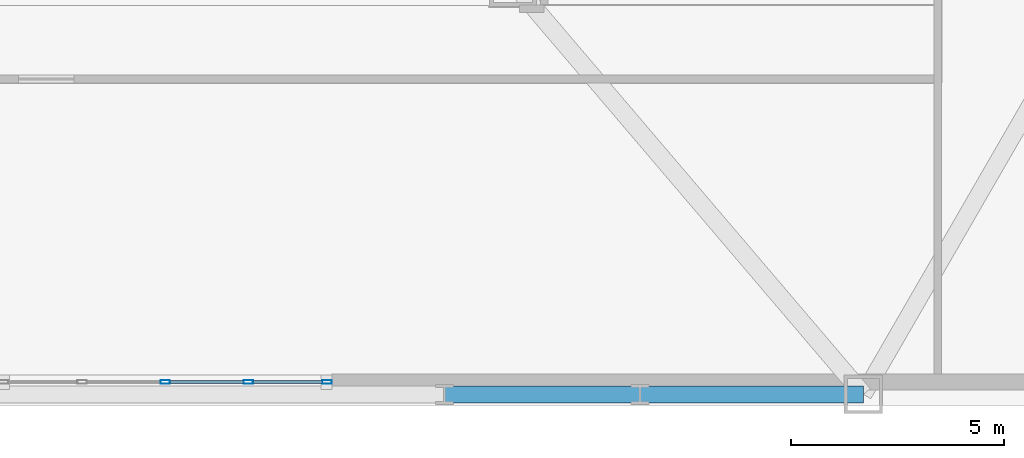
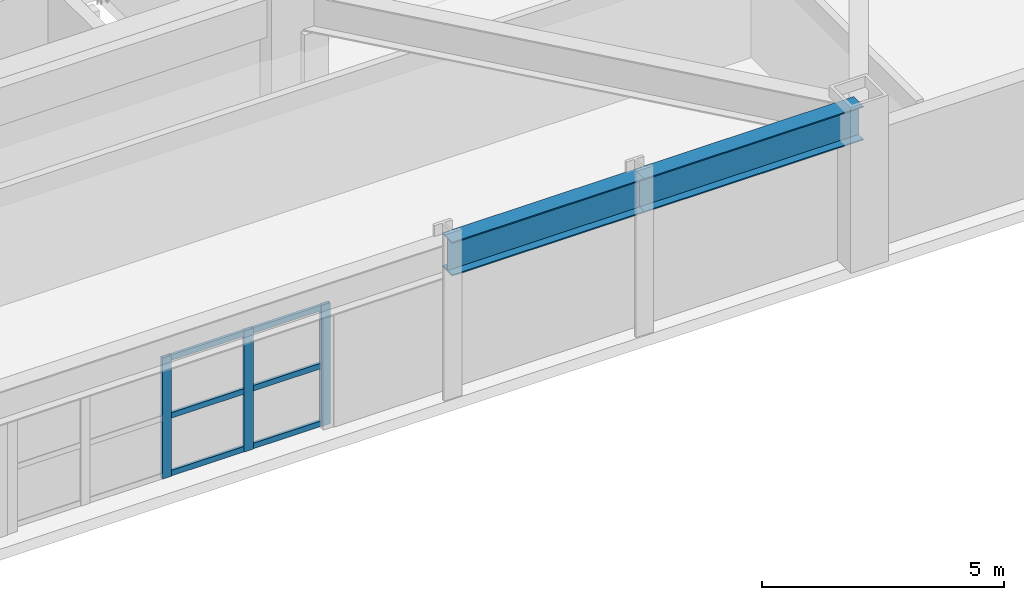
# One storey, part 6 of 22: 9 members, 2 beams, 1 element without a shape of its own.
"""IFC4 building model written with IfcOpenShell, lengths in metres."""

from ifc_helpers import new_model, si_unit, direction, frame, origin, origin_2d, place, context, subcontext, project, spatial, hollow_rectangle, i_section, extrude, material, layer, layer_set, material_profile, profile_set, type_object, element, aggregate, save


model = new_model("IFC4")

# Units and contexts
model_context = context("Model", 3, precision=1e-05, world=origin(), true_north=direction((0.0, 1.0)))
body_context = subcontext(model_context, "Body", "Model", "MODEL_VIEW")
ifc_project = project(units=[si_unit("LENGTHUNIT", "METRE"), si_unit("AREAUNIT", "SQUARE_METRE"), si_unit("VOLUMEUNIT", "CUBIC_METRE"), si_unit("PLANEANGLEUNIT", "RADIAN"), si_unit("MASSUNIT", "GRAM", prefix="KILO")], contexts=[model_context])

# Site, building, storey
site_placement = place(None, origin())
site = spatial("IfcSite", under=ifc_project, at=site_placement, CompositionType="ELEMENT")
building_placement = place(site_placement, origin())
building = spatial("IfcBuilding", under=site, at=building_placement, Name="Oramaril Tower", CompositionType="ELEMENT")
storey_placement = place(building_placement, frame((0.0, 0.0, 14.10009765625)))
storey = spatial("IfcBuildingStorey", under=building, at=storey_placement, Name="L03", CompositionType="ELEMENT", Elevation=14.10009765625)

# Beams
ifc_material_1 = material(Name="Steel ASTM A572 Gr 50", Category="steel")
ifc_material_profile_1 = material_profile(ifc_material_1, i_section(OverallWidth=0.40087890625, OverallDepth=0.85595703125, WebThickness=0.018310546875, FlangeThickness=0.029296875, at=origin_2d()), Name="W33X201")
ifc_profile_set_1 = profile_set([ifc_material_profile_1], Name="Steel ASTM A572 Gr 50")
beam_type = type_object("IfcBeamType", Name="BT-SP1", PredefinedType="SPANDREL", material=ifc_profile_set_1)
beam_1_placement = place(storey_placement, frame((44.044921875, 1.360107421875, 3.491943359375), z_axis=(1.0, 0.0, 0.0), x_axis=(0.0, 1.0, 0.0)))
element("IfcBeam", 1, at=beam_1_placement, inside=storey, type_object=beam_type, Name="L03 Perimeter Spandrel 05", PredefinedType="SPANDREL", context=body_context, shape_type="SweptSolid", body=[
    extrude(i_section(OverallWidth=0.40087890625, OverallDepth=0.85595703125, WebThickness=0.018310546875, FlangeThickness=0.029296875, at=origin_2d()), origin(), (0.0, 0.0, 1.0), 4.581298828125),
])
beam_2_placement = place(storey_placement, frame((48.626220703125, 1.360107421875, 3.491943359375), z_axis=(1.0, 0.0, 0.0), x_axis=(0.0, 1.0, 0.0)))
element("IfcBeam", 2, at=beam_2_placement, inside=storey, type_object=beam_type, Name="L03 Perimeter Spandrel 06", PredefinedType="SPANDREL", context=body_context, shape_type="SweptSolid", body=[
    extrude(i_section(OverallWidth=0.40087890625, OverallDepth=0.85595703125, WebThickness=0.018310546875, FlangeThickness=0.029296875, at=origin_2d()), origin(), (0.0, 0.0, 1.0), 5.23583984375),
])

# Curtain wall, members
ifc_material_2 = material(Name="Anodised Aluminium 6063-T6", Category="aluminium")
ifc_layer = layer(ifc_material_2, 0.219970703125)
ifc_layer_set = layer_set([ifc_layer], Name="CWT-SYS2")
curtain_wall_type = type_object("IfcCurtainWallType", Name="CWT-SYS2", PredefinedType="NOTDEFINED", material=ifc_layer_set)
curtain_wall_placement = place(storey_placement, origin())
curtain_wall = element("IfcCurtainWall", 3, at=curtain_wall_placement, inside=storey, type_object=curtain_wall_type, Name="L03 Unitised Curtain Wall CW-2", PredefinedType="NOTDEFINED")
ifc_material_3 = material(Name="Anodised Aluminium 6063-T6", Category="aluminium")
ifc_material_profile_2 = material_profile(ifc_material_3, hollow_rectangle(XDim=0.080078125, YDim=0.219970703125, WallThickness=0.00390625, at=origin_2d()), Name="CWM220X80")
ifc_profile_set_2 = profile_set([ifc_material_profile_2], Name="Anodised Aluminium 6063-T6")
member_type_1 = type_object("IfcMemberType", Name="MT-CWM1", PredefinedType="MULLION", material=ifc_profile_set_2)
member_1_placement = place(storey_placement, frame((37.5, 1.64990234375, 0.0), z_axis=(0.0, 0.0, 1.0), x_axis=(0.0, 1.0, 0.0)))
member_1 = element("IfcMember", 4, at=member_1_placement, type_object=member_type_1, Name="CW-2 mullion 3", PredefinedType="MULLION", context=body_context, shape_type="SweptSolid", body=[
    extrude(hollow_rectangle(XDim=0.080078125, YDim=0.219970703125, WallThickness=0.00390625, at=origin_2d()), origin(), (0.0, 0.0, 1.0), 3.053955078125),
])
member_2_placement = place(storey_placement, frame((39.449951171875, 1.64990234375, 0.0), z_axis=(0.0, 0.0, 1.0), x_axis=(0.0, 1.0, 0.0)))
member_2 = element("IfcMember", 5, at=member_2_placement, type_object=member_type_1, Name="CW-2 mullion 4", PredefinedType="MULLION", context=body_context, shape_type="SweptSolid", body=[
    extrude(hollow_rectangle(XDim=0.080078125, YDim=0.219970703125, WallThickness=0.00390625, at=origin_2d()), origin(), (0.0, 0.0, 1.0), 3.053955078125),
])
member_3_placement = place(storey_placement, frame((41.2900390625, 1.64990234375, 0.0), z_axis=(0.0, 0.0, 1.0), x_axis=(0.0, 1.0, 0.0)))
member_3 = element("IfcMember", 6, at=member_3_placement, type_object=member_type_1, Name="CW-2 mullion 5", PredefinedType="MULLION", context=body_context, shape_type="SweptSolid", body=[
    extrude(hollow_rectangle(XDim=0.080078125, YDim=0.219970703125, WallThickness=0.00390625, at=origin_2d()), origin(), (0.0, 0.0, 1.0), 3.053955078125),
])
ifc_material_4 = material(Name="Anodised Aluminium 6063-T6", Category="aluminium")
ifc_material_profile_3 = material_profile(ifc_material_4, hollow_rectangle(XDim=0.06494140625, YDim=0.139892578125, WallThickness=0.00390625, at=origin_2d()), Name="CWT140X65")
ifc_profile_set_3 = profile_set([ifc_material_profile_3], Name="Anodised Aluminium 6063-T6")
member_type_2 = type_object("IfcMemberType", Name="MT-CWT2", PredefinedType="USERDEFINED", material=ifc_profile_set_3)
member_4_placement = place(storey_placement, frame((37.610107421875, 1.64990234375, 0.06982421875), z_axis=(1.0, 0.0, 0.0), x_axis=(0.0, 1.0, 0.0)))
member_4 = element("IfcMember", 7, at=member_4_placement, type_object=member_type_2, Name="CW-2 transom 3.1", ObjectType="TRANSOM", PredefinedType="USERDEFINED", context=body_context, shape_type="SweptSolid", body=[
    extrude(hollow_rectangle(XDim=0.06494140625, YDim=0.139892578125, WallThickness=0.00390625, at=origin_2d()), origin(), (0.0, 0.0, 1.0), 1.72998046875),
])
member_5_placement = place(storey_placement, frame((37.610107421875, 1.64990234375, 1.52685546875), z_axis=(1.0, 0.0, 0.0), x_axis=(0.0, 1.0, 0.0)))
member_5 = element("IfcMember", 8, at=member_5_placement, type_object=member_type_2, Name="CW-2 transom 3.2", ObjectType="TRANSOM", PredefinedType="USERDEFINED", context=body_context, shape_type="SweptSolid", body=[
    extrude(hollow_rectangle(XDim=0.06494140625, YDim=0.139892578125, WallThickness=0.00390625, at=origin_2d()), origin(), (0.0, 0.0, 1.0), 1.72998046875),
])
member_6_placement = place(storey_placement, frame((37.610107421875, 1.64990234375, 2.98388671875), z_axis=(1.0, 0.0, 0.0), x_axis=(0.0, 1.0, 0.0)))
member_6 = element("IfcMember", 9, at=member_6_placement, type_object=member_type_2, Name="CW-2 transom 3.3", ObjectType="TRANSOM", PredefinedType="USERDEFINED", context=body_context, shape_type="SweptSolid", body=[
    extrude(hollow_rectangle(XDim=0.06494140625, YDim=0.139892578125, WallThickness=0.00390625, at=origin_2d()), origin(), (0.0, 0.0, 1.0), 1.72998046875),
])
member_7_placement = place(storey_placement, frame((39.56005859375, 1.64990234375, 0.06982421875), z_axis=(1.0, 0.0, 0.0), x_axis=(0.0, 1.0, 0.0)))
member_7 = element("IfcMember", 10, at=member_7_placement, type_object=member_type_2, Name="CW-2 transom 4.1", ObjectType="TRANSOM", PredefinedType="USERDEFINED", context=body_context, shape_type="SweptSolid", body=[
    extrude(hollow_rectangle(XDim=0.06494140625, YDim=0.139892578125, WallThickness=0.00390625, at=origin_2d()), origin(), (0.0, 0.0, 1.0), 1.619873046875),
])
member_8_placement = place(storey_placement, frame((39.56005859375, 1.64990234375, 1.52685546875), z_axis=(1.0, 0.0, 0.0), x_axis=(0.0, 1.0, 0.0)))
member_8 = element("IfcMember", 11, at=member_8_placement, type_object=member_type_2, Name="CW-2 transom 4.2", ObjectType="TRANSOM", PredefinedType="USERDEFINED", context=body_context, shape_type="SweptSolid", body=[
    extrude(hollow_rectangle(XDim=0.06494140625, YDim=0.139892578125, WallThickness=0.00390625, at=origin_2d()), origin(), (0.0, 0.0, 1.0), 1.619873046875),
])
member_9_placement = place(storey_placement, frame((39.56005859375, 1.64990234375, 2.98388671875), z_axis=(1.0, 0.0, 0.0), x_axis=(0.0, 1.0, 0.0)))
member_9 = element("IfcMember", 12, at=member_9_placement, type_object=member_type_2, Name="CW-2 transom 4.3", ObjectType="TRANSOM", PredefinedType="USERDEFINED", context=body_context, shape_type="SweptSolid", body=[
    extrude(hollow_rectangle(XDim=0.06494140625, YDim=0.139892578125, WallThickness=0.00390625, at=origin_2d()), origin(), (0.0, 0.0, 1.0), 1.619873046875),
])
aggregate(curtain_wall, [member_1, member_2, member_3, member_4, member_5, member_6, member_7, member_8, member_9])

save(model, "model.ifc")
